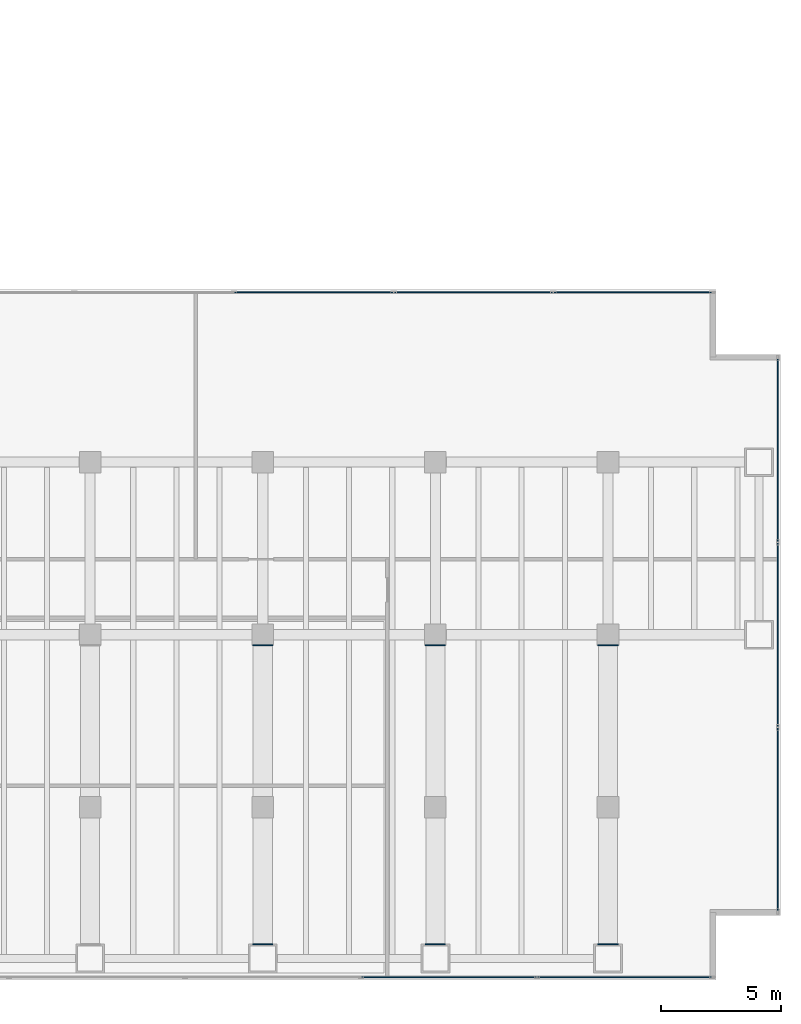
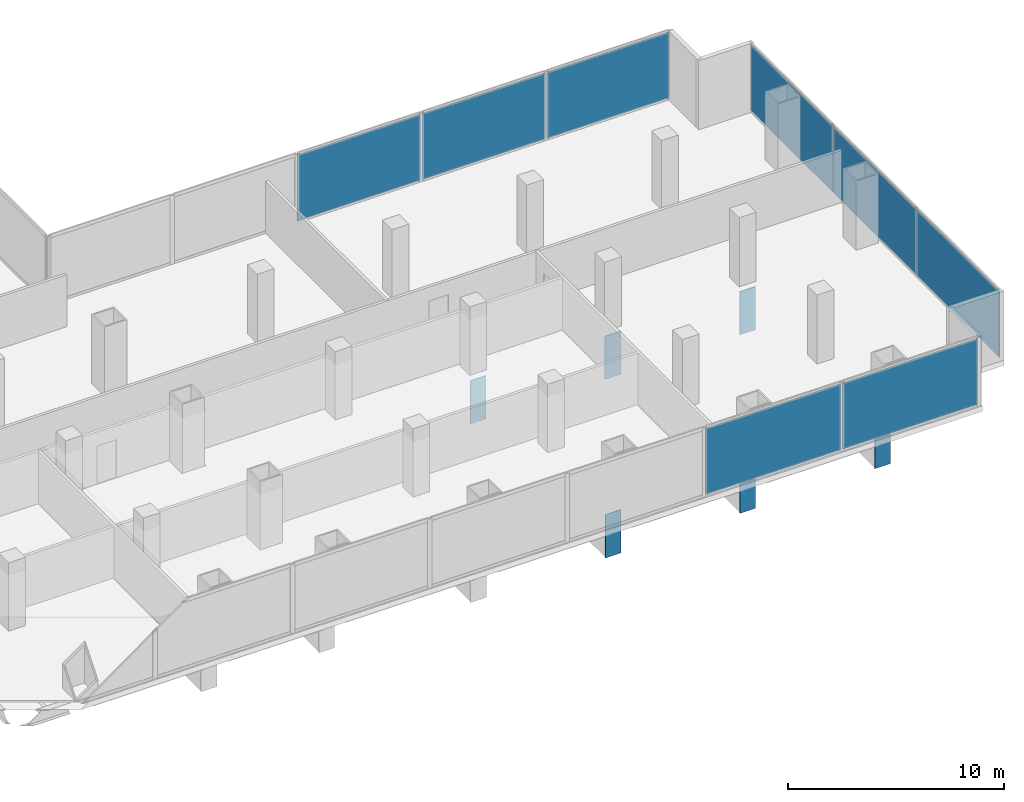
# One storey, part 25 of 34: 14 plates, 3 elements without a shape of their own.
"""IFC4 building model written with IfcOpenShell, lengths in metres."""

from ifc_helpers import new_model, si_unit, direction, frame, origin, origin_2d, place, context, subcontext, project, spatial, rectangle, extrude, material, layer, layer_set, type_object, element, aggregate, save


model = new_model("IFC4")

# Units and contexts
model_context = context("Model", 3, precision=1e-05, world=origin(), true_north=direction((0.0, 1.0)))
body_context = subcontext(model_context, "Body", "Model", "MODEL_VIEW")
ifc_project = project(units=[si_unit("LENGTHUNIT", "METRE"), si_unit("AREAUNIT", "SQUARE_METRE"), si_unit("VOLUMEUNIT", "CUBIC_METRE"), si_unit("PLANEANGLEUNIT", "RADIAN"), si_unit("MASSUNIT", "GRAM", prefix="KILO")], contexts=[model_context])

# Site, building, storey
site_placement = place(None, origin())
site = spatial("IfcSite", under=ifc_project, at=site_placement, CompositionType="ELEMENT")
building_placement = place(site_placement, origin())
building = spatial("IfcBuilding", under=site, at=building_placement, Name="Cobrela Telecom Tower", CompositionType="ELEMENT")
storey_placement = place(building_placement, frame((0.0, 0.0, 5.25)))
storey = spatial("IfcBuildingStorey", under=building, at=storey_placement, Name="L01", CompositionType="ELEMENT", Elevation=5.25)

# Curtain wall, plates
ifc_material_1 = material(Name="Anodized Bronze Aluminium 6063-T6", Category="aluminium")
curtain_wall_type = type_object("IfcCurtainWallType", Name="CW-SYS-CONC", PredefinedType="USERDEFINED", material=ifc_material_1)
curtain_wall_1_placement = place(storey_placement, origin())
curtain_wall_1 = element("IfcCurtainWall", 1, at=curtain_wall_1_placement, inside=storey, type_object=curtain_wall_type, Name="L01 Unitised Bronze Curtain Wall 11", ObjectType="UNITISED CURTAIN WALL", PredefinedType="USERDEFINED")
ifc_material_2 = material(Name="Solar-Control Bronze Low-E Glass", Category="glass")
ifc_layer_1 = layer(ifc_material_2, 0.0419921875)
ifc_layer_set_1 = layer_set([ifc_layer_1], Name="Solar-Control Bronze Low-E Glass")
plate_type_1 = type_object("IfcPlateType", Name="CW-SYS-CONC-PNL", PredefinedType="CURTAIN_PANEL", material=ifc_layer_set_1)
plate_1_placement = place(storey_placement, frame((66.929931640625, 28.679931640625, 0.080078125), z_axis=(0.0, 0.0, 1.0), x_axis=(1.0, 0.0, 0.0)))
plate_1 = element("IfcPlate", 2, at=plate_1_placement, type_object=plate_type_1, Name="CW-CONC panel 3.1", PredefinedType="CURTAIN_PANEL", context=body_context, shape_type="SweptSolid", body=[
    extrude(rectangle(XDim=6.580078125, YDim=0.0419921875, at=origin_2d()), origin(), (0.0, 0.0, 1.0), 3.739990234375),
])
plate_2_placement = place(storey_placement, frame((73.590087890625, 28.679931640625, 0.080078125), z_axis=(0.0, 0.0, 1.0), x_axis=(1.0, 0.0, 0.0)))
plate_2 = element("IfcPlate", 3, at=plate_2_placement, type_object=plate_type_1, Name="CW-CONC panel 4.1", PredefinedType="CURTAIN_PANEL", context=body_context, shape_type="SweptSolid", body=[
    extrude(rectangle(XDim=6.580078125, YDim=0.0419921875, at=origin_2d()), origin(), (0.0, 0.0, 1.0), 3.739990234375),
])
plate_3_placement = place(storey_placement, frame((80.22998046875, 28.679931640625, 0.080078125), z_axis=(0.0, 0.0, 1.0), x_axis=(1.0, 0.0, 0.0)))
plate_3 = element("IfcPlate", 4, at=plate_3_placement, type_object=plate_type_1, Name="CW-CONC panel 5.1", PredefinedType="CURTAIN_PANEL", context=body_context, shape_type="SweptSolid", body=[
    extrude(rectangle(XDim=6.5400390625, YDim=0.0419921875, at=origin_2d()), origin(), (0.0, 0.0, 1.0), 3.739990234375),
])
aggregate(curtain_wall_1, [plate_1, plate_2, plate_3])

curtain_wall_2_placement = place(storey_placement, origin())
curtain_wall_2 = element("IfcCurtainWall", 5, at=curtain_wall_2_placement, inside=storey, type_object=curtain_wall_type, Name="L01 Unitised Bronze Curtain Wall 14", ObjectType="UNITISED CURTAIN WALL", PredefinedType="USERDEFINED")
plate_4_placement = place(storey_placement, frame((86.280029296875, 22.10009765625, 0.080078125), z_axis=(0.0, 0.0, 1.0), x_axis=(0.0, -1.0, 0.0)))
plate_4 = element("IfcPlate", 6, at=plate_4_placement, type_object=plate_type_1, Name="CW-CONC panel 1.1", PredefinedType="CURTAIN_PANEL", context=body_context, shape_type="SweptSolid", body=[
    extrude(rectangle(XDim=7.60009765625, YDim=0.0419921875, at=origin_2d()), origin(), (0.0, 0.0, 1.0), 3.739990234375),
])
plate_5_placement = place(storey_placement, frame((86.280029296875, 14.39990234375, 0.080078125), z_axis=(0.0, 0.0, 1.0), x_axis=(0.0, -1.0, 0.0)))
plate_5 = element("IfcPlate", 7, at=plate_5_placement, type_object=plate_type_1, Name="CW-CONC panel 2.1", PredefinedType="CURTAIN_PANEL", context=body_context, shape_type="SweptSolid", body=[
    extrude(rectangle(XDim=7.639892578125, YDim=0.0419921875, at=origin_2d()), origin(), (0.0, 0.0, 1.0), 3.739990234375),
])
plate_6_placement = place(storey_placement, frame((86.280029296875, 6.699951171875, 0.080078125), z_axis=(0.0, 0.0, 1.0), x_axis=(0.0, -1.0, 0.0)))
plate_6 = element("IfcPlate", 8, at=plate_6_placement, type_object=plate_type_1, Name="CW-CONC panel 3.1", PredefinedType="CURTAIN_PANEL", context=body_context, shape_type="SweptSolid", body=[
    extrude(rectangle(XDim=7.60009765625, YDim=0.0419921875, at=origin_2d()), origin(), (0.0, 0.0, 1.0), 3.739990234375),
])
aggregate(curtain_wall_2, [plate_4, plate_5, plate_6])

curtain_wall_3_placement = place(storey_placement, origin())
curtain_wall_3 = element("IfcCurtainWall", 9, at=curtain_wall_3_placement, inside=storey, type_object=curtain_wall_type, Name="L01 Unitised Bronze Curtain Wall 17", ObjectType="UNITISED CURTAIN WALL", PredefinedType="USERDEFINED")
plate_7_placement = place(storey_placement, frame((79.88916015625, 0.1201171875, 0.080078125), z_axis=(0.0, 0.0, 1.0), x_axis=(-1.0, 0.0, 0.0)))
plate_7 = element("IfcPlate", 10, at=plate_7_placement, type_object=plate_type_1, Name="CW-CONC panel 1.1", PredefinedType="CURTAIN_PANEL", context=body_context, shape_type="SweptSolid", body=[
    extrude(rectangle(XDim=7.221923828125, YDim=0.0419921875, at=origin_2d()), origin(), (0.0, 0.0, 1.0), 3.739990234375),
])
plate_8_placement = place(storey_placement, frame((72.5673828125, 0.1201171875, 0.080078125), z_axis=(0.0, 0.0, 1.0), x_axis=(-1.0, 0.0, 0.0)))
plate_8 = element("IfcPlate", 11, at=plate_8_placement, type_object=plate_type_1, Name="CW-CONC panel 2.1", PredefinedType="CURTAIN_PANEL", context=body_context, shape_type="SweptSolid", body=[
    extrude(rectangle(XDim=7.26171875, YDim=0.0419921875, at=origin_2d()), origin(), (0.0, 0.0, 1.0), 3.739990234375),
])
aggregate(curtain_wall_3, [plate_7, plate_8])

# Plates
ifc_material_3 = material(Name="Steel ASTM A572 Grade 50", Category="steel")
ifc_layer_2 = layer(ifc_material_3, 0.048095703125)
ifc_layer_set_2 = layer_set([ifc_layer_2], Name="Steel ASTM A572 Grade 50")
plate_type_2 = type_object("IfcPlateType", Name="PLT-NODE-ND4", PredefinedType="USERDEFINED", material=ifc_layer_set_2)
for number, where, z_axis, x_axis, name in (
    (12, (64.800048828125, 1.485107421875, -2.719970703125), (0.0, 0.0, 1.0), (0.0, 1.0, 0.0), "Steel node plate PLT-BM-L01-BM-TRG-2400-Y-648-015-C0"),
    (13, (64.800048828125, 13.965087890625, -2.719970703125), (0.0, 0.0, 1.0), (0.0, 1.0, 0.0), "Steel node plate PLT-BM-L01-BM-TRG-2400-Y-648-015-C1"),
    (14, (72.0, 1.485107421875, -2.719970703125), (0.0, 0.0, 1.0), (0.0, 1.0, 0.0), "Steel node plate PLT-BM-L01-BM-TRG-2400-Y-720-015-C0"),
    (15, (72.0, 13.965087890625, -2.719970703125), (0.0, 0.0, 1.0), (0.0, 1.0, 0.0), "Steel node plate PLT-BM-L01-BM-TRG-2400-Y-720-015-C1"),
    (16, (79.199951171875, 1.485107421875, -2.719970703125), (0.0, 0.0, 1.0), (0.0, 1.0, 0.0), "Steel node plate PLT-BM-L01-BM-TRG-2400-Y-792-015-C0"),
    (17, (79.199951171875, 13.965087890625, -2.719970703125), (0.0, 0.0, 1.0), (0.0, 1.0, 0.0), "Steel node plate PLT-BM-L01-BM-TRG-2400-Y-792-015-C1"),
):
    element("IfcPlate", number, at=place(storey_placement, frame(where, z_axis=z_axis, x_axis=x_axis)), inside=storey, type_object=plate_type_2, Name=name, ObjectType="GUSSET PLATE", PredefinedType="USERDEFINED", context=body_context, shape_type="SweptSolid", body=[
        extrude(rectangle(XDim=0.044921875, YDim=0.840087890625, at=origin_2d()), origin(), (0.0, 0.0, 1.0), 2.43994140625),
    ])

save(model, "model.ifc")
